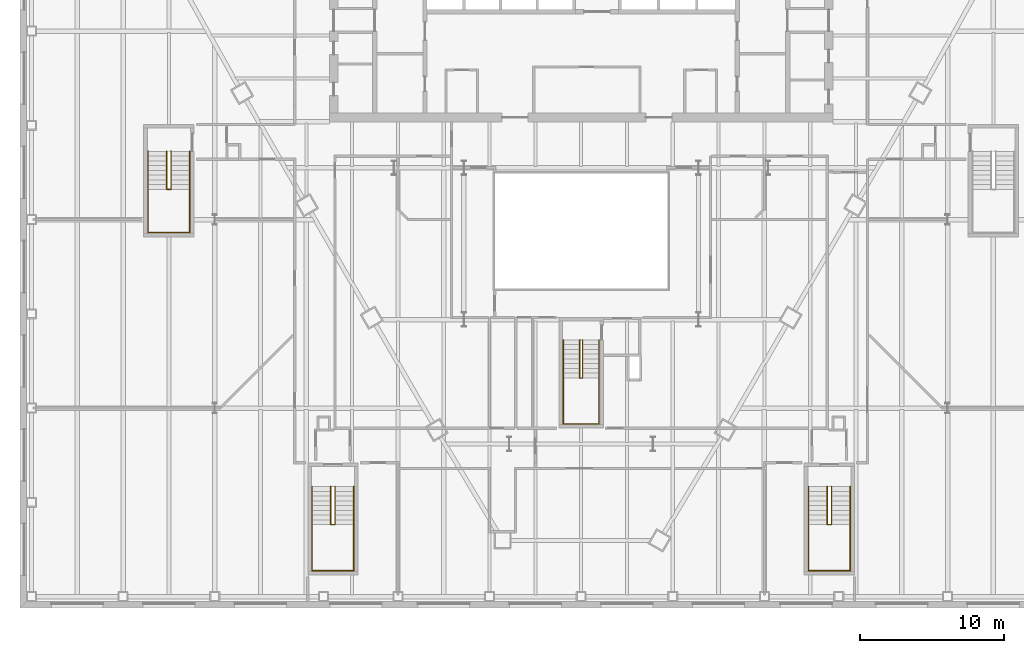
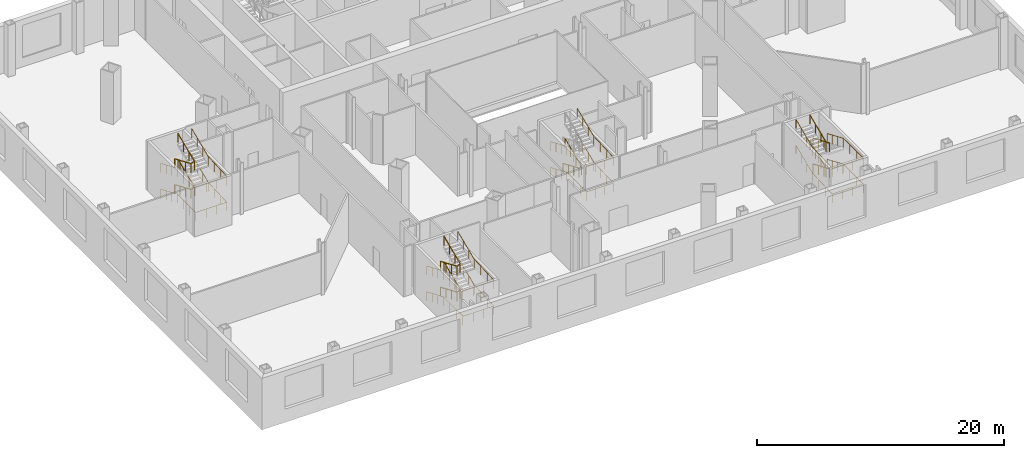
# One storey, part 20 of 21: 15 railings.
"""IFC4 building model written with IfcOpenShell, lengths in metres."""

from ifc_helpers import new_model, si_unit, direction, frame, origin, origin_2d, place, context, subcontext, project, spatial, circle, extrude, material, type_object, element, save


model = new_model("IFC4")

# Units and contexts
model_context = context("Model", 3, precision=1e-05, world=origin(), true_north=direction((0.0, 1.0)))
body_context = subcontext(model_context, "Body", "Model", "MODEL_VIEW")
ifc_project = project(units=[si_unit("LENGTHUNIT", "METRE"), si_unit("AREAUNIT", "SQUARE_METRE"), si_unit("VOLUMEUNIT", "CUBIC_METRE"), si_unit("PLANEANGLEUNIT", "RADIAN"), si_unit("MASSUNIT", "GRAM", prefix="KILO")], contexts=[model_context])

# Site, building, storey
site_placement = place(None, origin())
site = spatial("IfcSite", under=ifc_project, at=site_placement, CompositionType="ELEMENT")
building_placement = place(site_placement, origin())
building = spatial("IfcBuilding", under=site, at=building_placement, Name="Njiva Tower", CompositionType="ELEMENT")
storey_placement = place(building_placement, frame((0.0, 0.0, 8.4)))
storey = spatial("IfcBuildingStorey", under=building, at=storey_placement, Name="L01", CompositionType="ELEMENT", Elevation=8.4)

# Railings
ifc_material = material(Name="Stainless steel", Category="steel")
railing_type = type_object("IfcRailingType", Name="RL1 Stair handrail 900", PredefinedType="HANDRAIL", material=ifc_material)
railing_1_placement = place(storey_placement, frame((-1.25, -15.16, 0.1417)))
element("IfcRailing", 1, at=railing_1_placement, inside=storey, type_object=railing_type, Name="Stair C handrail", PredefinedType="HANDRAIL", context=body_context, shape_type="SweptSolid", body=[
    extrude(circle(Radius=0.024, at=origin_2d()), frame((0.0, 0.0, 0.876), z_axis=(0.0, -0.918909016762, 0.394469541173), x_axis=(1.0, 0.0, 0.0)), (0.0, 0.0, 1.0), 2.873),
    extrude(circle(Radius=0.024, at=origin_2d()), frame((0.0, -2.64, 2.0093), z_axis=(0.0, -1.0, 0.0), x_axis=(1.0, 0.0, 0.0)), (0.0, 0.0, 1.0), 3.2),
    extrude(circle(Radius=0.024, at=origin_2d()), frame((0.0, -5.84, 2.0093), z_axis=(1.0, 0.0, 0.0), x_axis=(0.0, 1.0, 0.0)), (0.0, 0.0, 1.0), 2.5),
    extrude(circle(Radius=0.024, at=origin_2d()), frame((2.5, -5.84, 2.0093), z_axis=(0.0, 0.999021024916, 0.04423789976), x_axis=(-1.0, 0.0, 0.0)), (0.0, 0.0, 1.0), 3.2031),
    extrude(circle(Radius=0.024, at=origin_2d()), frame((2.5, -2.64, 2.151), z_axis=(0.0, 0.918909016762, 0.394469541173), x_axis=(-1.0, 0.0, 0.0)), (0.0, 0.0, 1.0), 2.873),
    extrude(circle(Radius=0.021, at=origin_2d()), origin(), (0.0, 0.0, 1.0), 0.852),
    extrude(circle(Radius=0.021, at=origin_2d()), frame((0.0, -0.88, 0.3778)), (0.0, 0.0, 1.0), 0.852),
    extrude(circle(Radius=0.021, at=origin_2d()), frame((0.0, -1.76, 0.7555)), (0.0, 0.0, 1.0), 0.852),
    extrude(circle(Radius=0.021, at=origin_2d()), frame((0.0, -2.64, 1.1333)), (0.0, 0.0, 1.0), 0.852),
    extrude(circle(Radius=0.021, at=origin_2d()), frame((0.0, -3.7067, 1.1333)), (0.0, 0.0, 1.0), 0.852),
    extrude(circle(Radius=0.021, at=origin_2d()), frame((0.0, -4.7733, 1.1333)), (0.0, 0.0, 1.0), 0.852),
    extrude(circle(Radius=0.021, at=origin_2d()), frame((0.0, -5.84, 1.1333)), (0.0, 0.0, 1.0), 0.852),
    extrude(circle(Radius=0.021, at=origin_2d()), frame((0.8333, -5.84, 1.1333)), (0.0, 0.0, 1.0), 0.852),
    extrude(circle(Radius=0.021, at=origin_2d()), frame((1.6667, -5.84, 1.1333)), (0.0, 0.0, 1.0), 0.852),
    extrude(circle(Radius=0.021, at=origin_2d()), frame((2.5, -5.84, 1.1333)), (0.0, 0.0, 1.0), 0.852),
    extrude(circle(Radius=0.021, at=origin_2d()), frame((2.5, -4.7733, 1.1805)), (0.0, 0.0, 1.0), 0.852),
    extrude(circle(Radius=0.021, at=origin_2d()), frame((2.5, -3.7067, 1.2278)), (0.0, 0.0, 1.0), 0.852),
    extrude(circle(Radius=0.021, at=origin_2d()), frame((2.5, -2.64, 1.275)), (0.0, 0.0, 1.0), 0.852),
    extrude(circle(Radius=0.021, at=origin_2d()), frame((2.5, -1.76, 1.6528)), (0.0, 0.0, 1.0), 0.852),
    extrude(circle(Radius=0.021, at=origin_2d()), frame((2.5, -0.88, 2.0305)), (0.0, 0.0, 1.0), 0.852),
    extrude(circle(Radius=0.021, at=origin_2d()), frame((2.5, 0.0, 2.4083)), (0.0, 0.0, 1.0), 0.852),
])
railing_2_placement = place(storey_placement, frame((-0.1, -15.16, 0.1417)))
element("IfcRailing", 2, at=railing_2_placement, inside=storey, type_object=railing_type, Name="Stair C handrail", PredefinedType="HANDRAIL", context=body_context, shape_type="SweptSolid", body=[
    extrude(circle(Radius=0.024, at=origin_2d()), frame((0.0, 0.0, 0.876), z_axis=(0.0, -0.918909016762, 0.394469541173), x_axis=(1.0, 0.0, 0.0)), (0.0, 0.0, 1.0), 2.873),
    extrude(circle(Radius=0.024, at=origin_2d()), frame((0.0, -2.64, 2.0093), z_axis=(0.815960331218, 0.0, 0.578107894668), x_axis=(0.0, 1.0, 0.0)), (0.0, 0.0, 1.0), 0.2451),
    extrude(circle(Radius=0.024, at=origin_2d()), frame((0.2, -2.64, 2.151), z_axis=(0.0, 0.918909016762, 0.394469541173), x_axis=(-1.0, 0.0, 0.0)), (0.0, 0.0, 1.0), 2.873),
    extrude(circle(Radius=0.021, at=origin_2d()), origin(), (0.0, 0.0, 1.0), 0.852),
    extrude(circle(Radius=0.021, at=origin_2d()), frame((0.0, -0.88, 0.3778)), (0.0, 0.0, 1.0), 0.852),
    extrude(circle(Radius=0.021, at=origin_2d()), frame((0.0, -1.76, 0.7555)), (0.0, 0.0, 1.0), 0.852),
    extrude(circle(Radius=0.021, at=origin_2d()), frame((0.0, -2.64, 1.1333)), (0.0, 0.0, 1.0), 0.852),
    extrude(circle(Radius=0.021, at=origin_2d()), frame((0.2, -2.64, 1.275)), (0.0, 0.0, 1.0), 0.852),
    extrude(circle(Radius=0.021, at=origin_2d()), frame((0.2, -1.76, 1.6528)), (0.0, 0.0, 1.0), 0.852),
    extrude(circle(Radius=0.021, at=origin_2d()), frame((0.2, -0.88, 2.0305)), (0.0, 0.0, 1.0), 0.852),
    extrude(circle(Radius=0.021, at=origin_2d()), frame((0.2, 0.0, 2.4083)), (0.0, 0.0, 1.0), 0.852),
])
railing_3_placement = place(storey_placement, frame((-1.25, -15.16, 2.6917)))
element("IfcRailing", 3, at=railing_3_placement, inside=storey, type_object=railing_type, Name="Stair C handrail", PredefinedType="HANDRAIL", context=body_context, shape_type="SweptSolid", body=[
    extrude(circle(Radius=0.024, at=origin_2d()), frame((0.0, 0.0, 0.876), z_axis=(0.0, -0.918909016762, 0.394469541173), x_axis=(1.0, 0.0, 0.0)), (0.0, 0.0, 1.0), 2.873),
    extrude(circle(Radius=0.024, at=origin_2d()), frame((0.0, -2.64, 2.0093), z_axis=(0.0, -1.0, 0.0), x_axis=(1.0, 0.0, 0.0)), (0.0, 0.0, 1.0), 3.2),
    extrude(circle(Radius=0.024, at=origin_2d()), frame((0.0, -5.84, 2.0093), z_axis=(1.0, 0.0, 0.0), x_axis=(0.0, 1.0, 0.0)), (0.0, 0.0, 1.0), 2.5),
    extrude(circle(Radius=0.024, at=origin_2d()), frame((2.5, -5.84, 2.0093), z_axis=(0.0, 0.999021024916, 0.04423789976), x_axis=(-1.0, 0.0, 0.0)), (0.0, 0.0, 1.0), 3.2031),
    extrude(circle(Radius=0.024, at=origin_2d()), frame((2.5, -2.64, 2.151), z_axis=(0.0, 0.918909016762, 0.394469541173), x_axis=(-1.0, 0.0, 0.0)), (0.0, 0.0, 1.0), 2.873),
    extrude(circle(Radius=0.021, at=origin_2d()), origin(), (0.0, 0.0, 1.0), 0.852),
    extrude(circle(Radius=0.021, at=origin_2d()), frame((0.0, -0.88, 0.3778)), (0.0, 0.0, 1.0), 0.852),
    extrude(circle(Radius=0.021, at=origin_2d()), frame((0.0, -1.76, 0.7555)), (0.0, 0.0, 1.0), 0.852),
    extrude(circle(Radius=0.021, at=origin_2d()), frame((0.0, -2.64, 1.1333)), (0.0, 0.0, 1.0), 0.852),
    extrude(circle(Radius=0.021, at=origin_2d()), frame((0.0, -3.7067, 1.1333)), (0.0, 0.0, 1.0), 0.852),
    extrude(circle(Radius=0.021, at=origin_2d()), frame((0.0, -4.7733, 1.1333)), (0.0, 0.0, 1.0), 0.852),
    extrude(circle(Radius=0.021, at=origin_2d()), frame((0.0, -5.84, 1.1333)), (0.0, 0.0, 1.0), 0.852),
    extrude(circle(Radius=0.021, at=origin_2d()), frame((0.8333, -5.84, 1.1333)), (0.0, 0.0, 1.0), 0.852),
    extrude(circle(Radius=0.021, at=origin_2d()), frame((1.6667, -5.84, 1.1333)), (0.0, 0.0, 1.0), 0.852),
    extrude(circle(Radius=0.021, at=origin_2d()), frame((2.5, -5.84, 1.1333)), (0.0, 0.0, 1.0), 0.852),
    extrude(circle(Radius=0.021, at=origin_2d()), frame((2.5, -4.7733, 1.1805)), (0.0, 0.0, 1.0), 0.852),
    extrude(circle(Radius=0.021, at=origin_2d()), frame((2.5, -3.7067, 1.2278)), (0.0, 0.0, 1.0), 0.852),
    extrude(circle(Radius=0.021, at=origin_2d()), frame((2.5, -2.64, 1.275)), (0.0, 0.0, 1.0), 0.852),
    extrude(circle(Radius=0.021, at=origin_2d()), frame((2.5, -1.76, 1.6528)), (0.0, 0.0, 1.0), 0.852),
    extrude(circle(Radius=0.021, at=origin_2d()), frame((2.5, -0.88, 2.0305)), (0.0, 0.0, 1.0), 0.852),
    extrude(circle(Radius=0.021, at=origin_2d()), frame((2.5, 0.0, 2.4083)), (0.0, 0.0, 1.0), 0.852),
])
railing_4_placement = place(storey_placement, frame((-18.7, -25.35, 0.1417)))
element("IfcRailing", 4, at=railing_4_placement, inside=storey, type_object=railing_type, Name="Stair D handrail", PredefinedType="HANDRAIL", context=body_context, shape_type="SweptSolid", body=[
    extrude(circle(Radius=0.024, at=origin_2d()), frame((0.0, 0.0, 0.876), z_axis=(0.0, -0.918909016762, 0.394469541173), x_axis=(1.0, 0.0, 0.0)), (0.0, 0.0, 1.0), 2.873),
    extrude(circle(Radius=0.024, at=origin_2d()), frame((0.0, -2.64, 2.0093), z_axis=(0.0, -1.0, 0.0), x_axis=(1.0, 0.0, 0.0)), (0.0, 0.0, 1.0), 3.21),
    extrude(circle(Radius=0.024, at=origin_2d()), frame((0.0, -5.85, 2.0093), z_axis=(1.0, 0.0, 0.0), x_axis=(0.0, 1.0, 0.0)), (0.0, 0.0, 1.0), 2.9),
    extrude(circle(Radius=0.024, at=origin_2d()), frame((2.9, -5.85, 2.0093), z_axis=(0.0, 0.999027106064, 0.04410035543), x_axis=(-1.0, 0.0, 0.0)), (0.0, 0.0, 1.0), 3.2131),
    extrude(circle(Radius=0.024, at=origin_2d()), frame((2.9, -2.64, 2.151), z_axis=(0.0, 0.918909016762, 0.394469541173), x_axis=(-1.0, 0.0, 0.0)), (0.0, 0.0, 1.0), 2.873),
    extrude(circle(Radius=0.021, at=origin_2d()), origin(), (0.0, 0.0, 1.0), 0.852),
    extrude(circle(Radius=0.021, at=origin_2d()), frame((0.0, -0.88, 0.3778)), (0.0, 0.0, 1.0), 0.852),
    extrude(circle(Radius=0.021, at=origin_2d()), frame((0.0, -1.76, 0.7555)), (0.0, 0.0, 1.0), 0.852),
    extrude(circle(Radius=0.021, at=origin_2d()), frame((0.0, -2.64, 1.1333)), (0.0, 0.0, 1.0), 0.852),
    extrude(circle(Radius=0.021, at=origin_2d()), frame((0.0, -3.71, 1.1333)), (0.0, 0.0, 1.0), 0.852),
    extrude(circle(Radius=0.021, at=origin_2d()), frame((0.0, -4.78, 1.1333)), (0.0, 0.0, 1.0), 0.852),
    extrude(circle(Radius=0.021, at=origin_2d()), frame((0.0, -5.85, 1.1333)), (0.0, 0.0, 1.0), 0.852),
    extrude(circle(Radius=0.021, at=origin_2d()), frame((0.9667, -5.85, 1.1333)), (0.0, 0.0, 1.0), 0.852),
    extrude(circle(Radius=0.021, at=origin_2d()), frame((1.9333, -5.85, 1.1333)), (0.0, 0.0, 1.0), 0.852),
    extrude(circle(Radius=0.021, at=origin_2d()), frame((2.9, -5.85, 1.1333)), (0.0, 0.0, 1.0), 0.852),
    extrude(circle(Radius=0.021, at=origin_2d()), frame((2.9, -4.78, 1.1805)), (0.0, 0.0, 1.0), 0.852),
    extrude(circle(Radius=0.021, at=origin_2d()), frame((2.9, -3.71, 1.2278)), (0.0, 0.0, 1.0), 0.852),
    extrude(circle(Radius=0.021, at=origin_2d()), frame((2.9, -2.64, 1.275)), (0.0, 0.0, 1.0), 0.852),
    extrude(circle(Radius=0.021, at=origin_2d()), frame((2.9, -1.76, 1.6528)), (0.0, 0.0, 1.0), 0.852),
    extrude(circle(Radius=0.021, at=origin_2d()), frame((2.9, -0.88, 2.0305)), (0.0, 0.0, 1.0), 0.852),
    extrude(circle(Radius=0.021, at=origin_2d()), frame((2.9, 0.0, 2.4083)), (0.0, 0.0, 1.0), 0.852),
])
railing_5_placement = place(storey_placement, frame((-17.4, -25.35, 0.1417)))
element("IfcRailing", 5, at=railing_5_placement, inside=storey, type_object=railing_type, Name="Stair D handrail", PredefinedType="HANDRAIL", context=body_context, shape_type="SweptSolid", body=[
    extrude(circle(Radius=0.024, at=origin_2d()), frame((0.0, 0.0, 0.876), z_axis=(0.0, -0.918909016762, 0.394469541173), x_axis=(1.0, 0.0, 0.0)), (0.0, 0.0, 1.0), 2.873),
    extrude(circle(Radius=0.024, at=origin_2d()), frame((0.0, -2.64, 2.0093), z_axis=(0.904209850415, 0.0, 0.427088452679), x_axis=(0.0, 1.0, 0.0)), (0.0, 0.0, 1.0), 0.3318),
    extrude(circle(Radius=0.024, at=origin_2d()), frame((0.3, -2.64, 2.151), z_axis=(0.0, 0.918909016762, 0.394469541173), x_axis=(-1.0, 0.0, 0.0)), (0.0, 0.0, 1.0), 2.873),
    extrude(circle(Radius=0.021, at=origin_2d()), origin(), (0.0, 0.0, 1.0), 0.852),
    extrude(circle(Radius=0.021, at=origin_2d()), frame((0.0, -0.88, 0.3778)), (0.0, 0.0, 1.0), 0.852),
    extrude(circle(Radius=0.021, at=origin_2d()), frame((0.0, -1.76, 0.7555)), (0.0, 0.0, 1.0), 0.852),
    extrude(circle(Radius=0.021, at=origin_2d()), frame((0.0, -2.64, 1.1333)), (0.0, 0.0, 1.0), 0.852),
    extrude(circle(Radius=0.021, at=origin_2d()), frame((0.3, -2.64, 1.275)), (0.0, 0.0, 1.0), 0.852),
    extrude(circle(Radius=0.021, at=origin_2d()), frame((0.3, -1.76, 1.6528)), (0.0, 0.0, 1.0), 0.852),
    extrude(circle(Radius=0.021, at=origin_2d()), frame((0.3, -0.88, 2.0305)), (0.0, 0.0, 1.0), 0.852),
    extrude(circle(Radius=0.021, at=origin_2d()), frame((0.3, 0.0, 2.4083)), (0.0, 0.0, 1.0), 0.852),
])
railing_6_placement = place(storey_placement, frame((-18.7, -25.35, 2.6917)))
element("IfcRailing", 6, at=railing_6_placement, inside=storey, type_object=railing_type, Name="Stair D handrail", PredefinedType="HANDRAIL", context=body_context, shape_type="SweptSolid", body=[
    extrude(circle(Radius=0.024, at=origin_2d()), frame((0.0, 0.0, 0.876), z_axis=(0.0, -0.918909016762, 0.394469541173), x_axis=(1.0, 0.0, 0.0)), (0.0, 0.0, 1.0), 2.873),
    extrude(circle(Radius=0.024, at=origin_2d()), frame((0.0, -2.64, 2.0093), z_axis=(0.0, -1.0, 0.0), x_axis=(1.0, 0.0, 0.0)), (0.0, 0.0, 1.0), 3.21),
    extrude(circle(Radius=0.024, at=origin_2d()), frame((0.0, -5.85, 2.0093), z_axis=(1.0, 0.0, 0.0), x_axis=(0.0, 1.0, 0.0)), (0.0, 0.0, 1.0), 2.9),
    extrude(circle(Radius=0.024, at=origin_2d()), frame((2.9, -5.85, 2.0093), z_axis=(0.0, 0.999027106064, 0.04410035543), x_axis=(-1.0, 0.0, 0.0)), (0.0, 0.0, 1.0), 3.2131),
    extrude(circle(Radius=0.024, at=origin_2d()), frame((2.9, -2.64, 2.151), z_axis=(0.0, 0.918909016762, 0.394469541173), x_axis=(-1.0, 0.0, 0.0)), (0.0, 0.0, 1.0), 2.873),
    extrude(circle(Radius=0.021, at=origin_2d()), origin(), (0.0, 0.0, 1.0), 0.852),
    extrude(circle(Radius=0.021, at=origin_2d()), frame((0.0, -0.88, 0.3778)), (0.0, 0.0, 1.0), 0.852),
    extrude(circle(Radius=0.021, at=origin_2d()), frame((0.0, -1.76, 0.7555)), (0.0, 0.0, 1.0), 0.852),
    extrude(circle(Radius=0.021, at=origin_2d()), frame((0.0, -2.64, 1.1333)), (0.0, 0.0, 1.0), 0.852),
    extrude(circle(Radius=0.021, at=origin_2d()), frame((0.0, -3.71, 1.1333)), (0.0, 0.0, 1.0), 0.852),
    extrude(circle(Radius=0.021, at=origin_2d()), frame((0.0, -4.78, 1.1333)), (0.0, 0.0, 1.0), 0.852),
    extrude(circle(Radius=0.021, at=origin_2d()), frame((0.0, -5.85, 1.1333)), (0.0, 0.0, 1.0), 0.852),
    extrude(circle(Radius=0.021, at=origin_2d()), frame((0.9667, -5.85, 1.1333)), (0.0, 0.0, 1.0), 0.852),
    extrude(circle(Radius=0.021, at=origin_2d()), frame((1.9333, -5.85, 1.1333)), (0.0, 0.0, 1.0), 0.852),
    extrude(circle(Radius=0.021, at=origin_2d()), frame((2.9, -5.85, 1.1333)), (0.0, 0.0, 1.0), 0.852),
    extrude(circle(Radius=0.021, at=origin_2d()), frame((2.9, -4.78, 1.1805)), (0.0, 0.0, 1.0), 0.852),
    extrude(circle(Radius=0.021, at=origin_2d()), frame((2.9, -3.71, 1.2278)), (0.0, 0.0, 1.0), 0.852),
    extrude(circle(Radius=0.021, at=origin_2d()), frame((2.9, -2.64, 1.275)), (0.0, 0.0, 1.0), 0.852),
    extrude(circle(Radius=0.021, at=origin_2d()), frame((2.9, -1.76, 1.6528)), (0.0, 0.0, 1.0), 0.852),
    extrude(circle(Radius=0.021, at=origin_2d()), frame((2.9, -0.88, 2.0305)), (0.0, 0.0, 1.0), 0.852),
    extrude(circle(Radius=0.021, at=origin_2d()), frame((2.9, 0.0, 2.4083)), (0.0, 0.0, 1.0), 0.852),
])
railing_7_placement = place(storey_placement, frame((-17.4, -25.35, 2.6917)))
element("IfcRailing", 7, at=railing_7_placement, inside=storey, type_object=railing_type, Name="Stair D handrail", PredefinedType="HANDRAIL", context=body_context, shape_type="SweptSolid", body=[
    extrude(circle(Radius=0.024, at=origin_2d()), frame((0.0, 0.0, 0.876), z_axis=(0.0, -0.918909016762, 0.394469541173), x_axis=(1.0, 0.0, 0.0)), (0.0, 0.0, 1.0), 2.873),
    extrude(circle(Radius=0.024, at=origin_2d()), frame((0.0, -2.64, 2.0093), z_axis=(0.904209850415, 0.0, 0.427088452679), x_axis=(0.0, 1.0, 0.0)), (0.0, 0.0, 1.0), 0.3318),
    extrude(circle(Radius=0.024, at=origin_2d()), frame((0.3, -2.64, 2.151), z_axis=(0.0, 0.918909016762, 0.394469541173), x_axis=(-1.0, 0.0, 0.0)), (0.0, 0.0, 1.0), 2.873),
    extrude(circle(Radius=0.021, at=origin_2d()), origin(), (0.0, 0.0, 1.0), 0.852),
    extrude(circle(Radius=0.021, at=origin_2d()), frame((0.0, -0.88, 0.3778)), (0.0, 0.0, 1.0), 0.852),
    extrude(circle(Radius=0.021, at=origin_2d()), frame((0.0, -1.76, 0.7555)), (0.0, 0.0, 1.0), 0.852),
    extrude(circle(Radius=0.021, at=origin_2d()), frame((0.0, -2.64, 1.1333)), (0.0, 0.0, 1.0), 0.852),
    extrude(circle(Radius=0.021, at=origin_2d()), frame((0.3, -2.64, 1.275)), (0.0, 0.0, 1.0), 0.852),
    extrude(circle(Radius=0.021, at=origin_2d()), frame((0.3, -1.76, 1.6528)), (0.0, 0.0, 1.0), 0.852),
    extrude(circle(Radius=0.021, at=origin_2d()), frame((0.3, -0.88, 2.0305)), (0.0, 0.0, 1.0), 0.852),
    extrude(circle(Radius=0.021, at=origin_2d()), frame((0.3, 0.0, 2.4083)), (0.0, 0.0, 1.0), 0.852),
])
railing_8_placement = place(storey_placement, frame((18.7, -25.35, 0.1417)))
element("IfcRailing", 8, at=railing_8_placement, inside=storey, type_object=railing_type, Name="Stair E handrail", PredefinedType="HANDRAIL", context=body_context, shape_type="SweptSolid", body=[
    extrude(circle(Radius=0.024, at=origin_2d()), frame((0.0, 0.0, 0.876), z_axis=(0.0, -0.918909016762, 0.394469541173), x_axis=(1.0, 0.0, 0.0)), (0.0, 0.0, 1.0), 2.873),
    extrude(circle(Radius=0.024, at=origin_2d()), frame((0.0, -2.64, 2.0093), z_axis=(0.0, -1.0, 0.0), x_axis=(1.0, 0.0, 0.0)), (0.0, 0.0, 1.0), 3.21),
    extrude(circle(Radius=0.024, at=origin_2d()), frame((0.0, -5.85, 2.0093), z_axis=(-1.0, 0.0, 0.0), x_axis=(0.0, -1.0, 0.0)), (0.0, 0.0, 1.0), 2.9),
    extrude(circle(Radius=0.024, at=origin_2d()), frame((-2.9, -5.85, 2.0093), z_axis=(0.0, 0.999027106064, 0.04410035543), x_axis=(-1.0, 0.0, 0.0)), (0.0, 0.0, 1.0), 3.2131),
    extrude(circle(Radius=0.024, at=origin_2d()), frame((-2.9, -2.64, 2.151), z_axis=(0.0, 0.918909016762, 0.394469541173), x_axis=(-1.0, 0.0, 0.0)), (0.0, 0.0, 1.0), 2.873),
    extrude(circle(Radius=0.021, at=origin_2d()), origin(), (0.0, 0.0, 1.0), 0.852),
    extrude(circle(Radius=0.021, at=origin_2d()), frame((0.0, -0.88, 0.3778)), (0.0, 0.0, 1.0), 0.852),
    extrude(circle(Radius=0.021, at=origin_2d()), frame((0.0, -1.76, 0.7555)), (0.0, 0.0, 1.0), 0.852),
    extrude(circle(Radius=0.021, at=origin_2d()), frame((0.0, -2.64, 1.1333)), (0.0, 0.0, 1.0), 0.852),
    extrude(circle(Radius=0.021, at=origin_2d()), frame((0.0, -3.71, 1.1333)), (0.0, 0.0, 1.0), 0.852),
    extrude(circle(Radius=0.021, at=origin_2d()), frame((0.0, -4.78, 1.1333)), (0.0, 0.0, 1.0), 0.852),
    extrude(circle(Radius=0.021, at=origin_2d()), frame((0.0, -5.85, 1.1333)), (0.0, 0.0, 1.0), 0.852),
    extrude(circle(Radius=0.021, at=origin_2d()), frame((-0.9667, -5.85, 1.1333)), (0.0, 0.0, 1.0), 0.852),
    extrude(circle(Radius=0.021, at=origin_2d()), frame((-1.9333, -5.85, 1.1333)), (0.0, 0.0, 1.0), 0.852),
    extrude(circle(Radius=0.021, at=origin_2d()), frame((-2.9, -5.85, 1.1333)), (0.0, 0.0, 1.0), 0.852),
    extrude(circle(Radius=0.021, at=origin_2d()), frame((-2.9, -4.78, 1.1805)), (0.0, 0.0, 1.0), 0.852),
    extrude(circle(Radius=0.021, at=origin_2d()), frame((-2.9, -3.71, 1.2278)), (0.0, 0.0, 1.0), 0.852),
    extrude(circle(Radius=0.021, at=origin_2d()), frame((-2.9, -2.64, 1.275)), (0.0, 0.0, 1.0), 0.852),
    extrude(circle(Radius=0.021, at=origin_2d()), frame((-2.9, -1.76, 1.6528)), (0.0, 0.0, 1.0), 0.852),
    extrude(circle(Radius=0.021, at=origin_2d()), frame((-2.9, -0.88, 2.0305)), (0.0, 0.0, 1.0), 0.852),
    extrude(circle(Radius=0.021, at=origin_2d()), frame((-2.9, 0.0, 2.4083)), (0.0, 0.0, 1.0), 0.852),
])
railing_9_placement = place(storey_placement, frame((17.4, -25.35, 0.1417)))
element("IfcRailing", 9, at=railing_9_placement, inside=storey, type_object=railing_type, Name="Stair E handrail", PredefinedType="HANDRAIL", context=body_context, shape_type="SweptSolid", body=[
    extrude(circle(Radius=0.024, at=origin_2d()), frame((0.0, 0.0, 0.876), z_axis=(0.0, -0.918909016762, 0.394469541173), x_axis=(1.0, 0.0, 0.0)), (0.0, 0.0, 1.0), 2.873),
    extrude(circle(Radius=0.024, at=origin_2d()), frame((0.0, -2.64, 2.0093), z_axis=(-0.904209850415, 0.0, 0.427088452679), x_axis=(0.0, -1.0, 0.0)), (0.0, 0.0, 1.0), 0.3318),
    extrude(circle(Radius=0.024, at=origin_2d()), frame((-0.3, -2.64, 2.151), z_axis=(0.0, 0.918909016762, 0.394469541173), x_axis=(-1.0, 0.0, 0.0)), (0.0, 0.0, 1.0), 2.873),
    extrude(circle(Radius=0.021, at=origin_2d()), origin(), (0.0, 0.0, 1.0), 0.852),
    extrude(circle(Radius=0.021, at=origin_2d()), frame((0.0, -0.88, 0.3778)), (0.0, 0.0, 1.0), 0.852),
    extrude(circle(Radius=0.021, at=origin_2d()), frame((0.0, -1.76, 0.7555)), (0.0, 0.0, 1.0), 0.852),
    extrude(circle(Radius=0.021, at=origin_2d()), frame((0.0, -2.64, 1.1333)), (0.0, 0.0, 1.0), 0.852),
    extrude(circle(Radius=0.021, at=origin_2d()), frame((-0.3, -2.64, 1.275)), (0.0, 0.0, 1.0), 0.852),
    extrude(circle(Radius=0.021, at=origin_2d()), frame((-0.3, -1.76, 1.6528)), (0.0, 0.0, 1.0), 0.852),
    extrude(circle(Radius=0.021, at=origin_2d()), frame((-0.3, -0.88, 2.0305)), (0.0, 0.0, 1.0), 0.852),
    extrude(circle(Radius=0.021, at=origin_2d()), frame((-0.3, 0.0, 2.4083)), (0.0, 0.0, 1.0), 0.852),
])
railing_10_placement = place(storey_placement, frame((18.7, -25.35, 2.6917)))
element("IfcRailing", 10, at=railing_10_placement, inside=storey, type_object=railing_type, Name="Stair E handrail", PredefinedType="HANDRAIL", context=body_context, shape_type="SweptSolid", body=[
    extrude(circle(Radius=0.024, at=origin_2d()), frame((0.0, 0.0, 0.876), z_axis=(0.0, -0.918909016762, 0.394469541173), x_axis=(1.0, 0.0, 0.0)), (0.0, 0.0, 1.0), 2.873),
    extrude(circle(Radius=0.024, at=origin_2d()), frame((0.0, -2.64, 2.0093), z_axis=(0.0, -1.0, 0.0), x_axis=(1.0, 0.0, 0.0)), (0.0, 0.0, 1.0), 3.21),
    extrude(circle(Radius=0.024, at=origin_2d()), frame((0.0, -5.85, 2.0093), z_axis=(-1.0, 0.0, 0.0), x_axis=(0.0, -1.0, 0.0)), (0.0, 0.0, 1.0), 2.9),
    extrude(circle(Radius=0.024, at=origin_2d()), frame((-2.9, -5.85, 2.0093), z_axis=(0.0, 0.999027106064, 0.04410035543), x_axis=(-1.0, 0.0, 0.0)), (0.0, 0.0, 1.0), 3.2131),
    extrude(circle(Radius=0.024, at=origin_2d()), frame((-2.9, -2.64, 2.151), z_axis=(0.0, 0.918909016762, 0.394469541173), x_axis=(-1.0, 0.0, 0.0)), (0.0, 0.0, 1.0), 2.873),
    extrude(circle(Radius=0.021, at=origin_2d()), origin(), (0.0, 0.0, 1.0), 0.852),
    extrude(circle(Radius=0.021, at=origin_2d()), frame((0.0, -0.88, 0.3778)), (0.0, 0.0, 1.0), 0.852),
    extrude(circle(Radius=0.021, at=origin_2d()), frame((0.0, -1.76, 0.7555)), (0.0, 0.0, 1.0), 0.852),
    extrude(circle(Radius=0.021, at=origin_2d()), frame((0.0, -2.64, 1.1333)), (0.0, 0.0, 1.0), 0.852),
    extrude(circle(Radius=0.021, at=origin_2d()), frame((0.0, -3.71, 1.1333)), (0.0, 0.0, 1.0), 0.852),
    extrude(circle(Radius=0.021, at=origin_2d()), frame((0.0, -4.78, 1.1333)), (0.0, 0.0, 1.0), 0.852),
    extrude(circle(Radius=0.021, at=origin_2d()), frame((0.0, -5.85, 1.1333)), (0.0, 0.0, 1.0), 0.852),
    extrude(circle(Radius=0.021, at=origin_2d()), frame((-0.9667, -5.85, 1.1333)), (0.0, 0.0, 1.0), 0.852),
    extrude(circle(Radius=0.021, at=origin_2d()), frame((-1.9333, -5.85, 1.1333)), (0.0, 0.0, 1.0), 0.852),
    extrude(circle(Radius=0.021, at=origin_2d()), frame((-2.9, -5.85, 1.1333)), (0.0, 0.0, 1.0), 0.852),
    extrude(circle(Radius=0.021, at=origin_2d()), frame((-2.9, -4.78, 1.1805)), (0.0, 0.0, 1.0), 0.852),
    extrude(circle(Radius=0.021, at=origin_2d()), frame((-2.9, -3.71, 1.2278)), (0.0, 0.0, 1.0), 0.852),
    extrude(circle(Radius=0.021, at=origin_2d()), frame((-2.9, -2.64, 1.275)), (0.0, 0.0, 1.0), 0.852),
    extrude(circle(Radius=0.021, at=origin_2d()), frame((-2.9, -1.76, 1.6528)), (0.0, 0.0, 1.0), 0.852),
    extrude(circle(Radius=0.021, at=origin_2d()), frame((-2.9, -0.88, 2.0305)), (0.0, 0.0, 1.0), 0.852),
    extrude(circle(Radius=0.021, at=origin_2d()), frame((-2.9, 0.0, 2.4083)), (0.0, 0.0, 1.0), 0.852),
])
railing_11_placement = place(storey_placement, frame((17.4, -25.35, 2.6917)))
element("IfcRailing", 11, at=railing_11_placement, inside=storey, type_object=railing_type, Name="Stair E handrail", PredefinedType="HANDRAIL", context=body_context, shape_type="SweptSolid", body=[
    extrude(circle(Radius=0.024, at=origin_2d()), frame((0.0, 0.0, 0.876), z_axis=(0.0, -0.918909016762, 0.394469541173), x_axis=(1.0, 0.0, 0.0)), (0.0, 0.0, 1.0), 2.873),
    extrude(circle(Radius=0.024, at=origin_2d()), frame((0.0, -2.64, 2.0093), z_axis=(-0.904209850415, 0.0, 0.427088452679), x_axis=(0.0, -1.0, 0.0)), (0.0, 0.0, 1.0), 0.3318),
    extrude(circle(Radius=0.024, at=origin_2d()), frame((-0.3, -2.64, 2.151), z_axis=(0.0, 0.918909016762, 0.394469541173), x_axis=(-1.0, 0.0, 0.0)), (0.0, 0.0, 1.0), 2.873),
    extrude(circle(Radius=0.021, at=origin_2d()), origin(), (0.0, 0.0, 1.0), 0.852),
    extrude(circle(Radius=0.021, at=origin_2d()), frame((0.0, -0.88, 0.3778)), (0.0, 0.0, 1.0), 0.852),
    extrude(circle(Radius=0.021, at=origin_2d()), frame((0.0, -1.76, 0.7555)), (0.0, 0.0, 1.0), 0.852),
    extrude(circle(Radius=0.021, at=origin_2d()), frame((0.0, -2.64, 1.1333)), (0.0, 0.0, 1.0), 0.852),
    extrude(circle(Radius=0.021, at=origin_2d()), frame((-0.3, -2.64, 1.275)), (0.0, 0.0, 1.0), 0.852),
    extrude(circle(Radius=0.021, at=origin_2d()), frame((-0.3, -1.76, 1.6528)), (0.0, 0.0, 1.0), 0.852),
    extrude(circle(Radius=0.021, at=origin_2d()), frame((-0.3, -0.88, 2.0305)), (0.0, 0.0, 1.0), 0.852),
    extrude(circle(Radius=0.021, at=origin_2d()), frame((-0.3, 0.0, 2.4083)), (0.0, 0.0, 1.0), 0.852),
])
railing_12_placement = place(storey_placement, frame((-30.1, -2.05, 0.1417)))
element("IfcRailing", 12, at=railing_12_placement, inside=storey, type_object=railing_type, Name="Stair F handrail", PredefinedType="HANDRAIL", context=body_context, shape_type="SweptSolid", body=[
    extrude(circle(Radius=0.024, at=origin_2d()), frame((0.0, 0.0, 0.876), z_axis=(0.0, -0.918909016762, 0.394469541173), x_axis=(1.0, 0.0, 0.0)), (0.0, 0.0, 1.0), 2.873),
    extrude(circle(Radius=0.024, at=origin_2d()), frame((0.0, -2.64, 2.0093), z_axis=(0.0, -1.0, 0.0), x_axis=(1.0, 0.0, 0.0)), (0.0, 0.0, 1.0), 3.01),
    extrude(circle(Radius=0.024, at=origin_2d()), frame((0.0, -5.65, 2.0093), z_axis=(1.0, 0.0, 0.0), x_axis=(0.0, 1.0, 0.0)), (0.0, 0.0, 1.0), 2.9),
    extrude(circle(Radius=0.024, at=origin_2d()), frame((2.9, -5.65, 2.0093), z_axis=(0.0, 0.998893744133, 0.047024333403), x_axis=(-1.0, 0.0, 0.0)), (0.0, 0.0, 1.0), 3.0133),
    extrude(circle(Radius=0.024, at=origin_2d()), frame((2.9, -2.64, 2.151), z_axis=(0.0, 0.918909016762, 0.394469541173), x_axis=(-1.0, 0.0, 0.0)), (0.0, 0.0, 1.0), 2.873),
    extrude(circle(Radius=0.021, at=origin_2d()), origin(), (0.0, 0.0, 1.0), 0.852),
    extrude(circle(Radius=0.021, at=origin_2d()), frame((0.0, -0.88, 0.3778)), (0.0, 0.0, 1.0), 0.852),
    extrude(circle(Radius=0.021, at=origin_2d()), frame((0.0, -1.76, 0.7555)), (0.0, 0.0, 1.0), 0.852),
    extrude(circle(Radius=0.021, at=origin_2d()), frame((0.0, -2.64, 1.1333)), (0.0, 0.0, 1.0), 0.852),
    extrude(circle(Radius=0.021, at=origin_2d()), frame((0.0, -3.6433, 1.1333)), (0.0, 0.0, 1.0), 0.852),
    extrude(circle(Radius=0.021, at=origin_2d()), frame((0.0, -4.6467, 1.1333)), (0.0, 0.0, 1.0), 0.852),
    extrude(circle(Radius=0.021, at=origin_2d()), frame((0.0, -5.65, 1.1333)), (0.0, 0.0, 1.0), 0.852),
    extrude(circle(Radius=0.021, at=origin_2d()), frame((0.9667, -5.65, 1.1333)), (0.0, 0.0, 1.0), 0.852),
    extrude(circle(Radius=0.021, at=origin_2d()), frame((1.9333, -5.65, 1.1333)), (0.0, 0.0, 1.0), 0.852),
    extrude(circle(Radius=0.021, at=origin_2d()), frame((2.9, -5.65, 1.1333)), (0.0, 0.0, 1.0), 0.852),
    extrude(circle(Radius=0.021, at=origin_2d()), frame((2.9, -4.6467, 1.1805)), (0.0, 0.0, 1.0), 0.852),
    extrude(circle(Radius=0.021, at=origin_2d()), frame((2.9, -3.6433, 1.2278)), (0.0, 0.0, 1.0), 0.852),
    extrude(circle(Radius=0.021, at=origin_2d()), frame((2.9, -2.64, 1.275)), (0.0, 0.0, 1.0), 0.852),
    extrude(circle(Radius=0.021, at=origin_2d()), frame((2.9, -1.76, 1.6528)), (0.0, 0.0, 1.0), 0.852),
    extrude(circle(Radius=0.021, at=origin_2d()), frame((2.9, -0.88, 2.0305)), (0.0, 0.0, 1.0), 0.852),
    extrude(circle(Radius=0.021, at=origin_2d()), frame((2.9, 0.0, 2.4083)), (0.0, 0.0, 1.0), 0.852),
])
railing_13_placement = place(storey_placement, frame((-28.8, -2.05, 0.1417)))
element("IfcRailing", 13, at=railing_13_placement, inside=storey, type_object=railing_type, Name="Stair F handrail", PredefinedType="HANDRAIL", context=body_context, shape_type="SweptSolid", body=[
    extrude(circle(Radius=0.024, at=origin_2d()), frame((0.0, 0.0, 0.876), z_axis=(0.0, -0.918909016762, 0.394469541173), x_axis=(1.0, 0.0, 0.0)), (0.0, 0.0, 1.0), 2.873),
    extrude(circle(Radius=0.024, at=origin_2d()), frame((0.0, -2.64, 2.0093), z_axis=(0.904209850415, 0.0, 0.427088452679), x_axis=(0.0, 1.0, 0.0)), (0.0, 0.0, 1.0), 0.3318),
    extrude(circle(Radius=0.024, at=origin_2d()), frame((0.3, -2.64, 2.151), z_axis=(0.0, 0.918909016762, 0.394469541173), x_axis=(-1.0, 0.0, 0.0)), (0.0, 0.0, 1.0), 2.873),
    extrude(circle(Radius=0.021, at=origin_2d()), origin(), (0.0, 0.0, 1.0), 0.852),
    extrude(circle(Radius=0.021, at=origin_2d()), frame((0.0, -0.88, 0.3778)), (0.0, 0.0, 1.0), 0.852),
    extrude(circle(Radius=0.021, at=origin_2d()), frame((0.0, -1.76, 0.7555)), (0.0, 0.0, 1.0), 0.852),
    extrude(circle(Radius=0.021, at=origin_2d()), frame((0.0, -2.64, 1.1333)), (0.0, 0.0, 1.0), 0.852),
    extrude(circle(Radius=0.021, at=origin_2d()), frame((0.3, -2.64, 1.275)), (0.0, 0.0, 1.0), 0.852),
    extrude(circle(Radius=0.021, at=origin_2d()), frame((0.3, -1.76, 1.6528)), (0.0, 0.0, 1.0), 0.852),
    extrude(circle(Radius=0.021, at=origin_2d()), frame((0.3, -0.88, 2.0305)), (0.0, 0.0, 1.0), 0.852),
    extrude(circle(Radius=0.021, at=origin_2d()), frame((0.3, 0.0, 2.4083)), (0.0, 0.0, 1.0), 0.852),
])
railing_14_placement = place(storey_placement, frame((-30.1, -2.05, 2.6917)))
element("IfcRailing", 14, at=railing_14_placement, inside=storey, type_object=railing_type, Name="Stair F handrail", PredefinedType="HANDRAIL", context=body_context, shape_type="SweptSolid", body=[
    extrude(circle(Radius=0.024, at=origin_2d()), frame((0.0, 0.0, 0.876), z_axis=(0.0, -0.918909016762, 0.394469541173), x_axis=(1.0, 0.0, 0.0)), (0.0, 0.0, 1.0), 2.873),
    extrude(circle(Radius=0.024, at=origin_2d()), frame((0.0, -2.64, 2.0093), z_axis=(0.0, -1.0, 0.0), x_axis=(1.0, 0.0, 0.0)), (0.0, 0.0, 1.0), 3.01),
    extrude(circle(Radius=0.024, at=origin_2d()), frame((0.0, -5.65, 2.0093), z_axis=(1.0, 0.0, 0.0), x_axis=(0.0, 1.0, 0.0)), (0.0, 0.0, 1.0), 2.9),
    extrude(circle(Radius=0.024, at=origin_2d()), frame((2.9, -5.65, 2.0093), z_axis=(0.0, 0.998893744133, 0.047024333403), x_axis=(-1.0, 0.0, 0.0)), (0.0, 0.0, 1.0), 3.0133),
    extrude(circle(Radius=0.024, at=origin_2d()), frame((2.9, -2.64, 2.151), z_axis=(0.0, 0.918909016762, 0.394469541173), x_axis=(-1.0, 0.0, 0.0)), (0.0, 0.0, 1.0), 2.873),
    extrude(circle(Radius=0.021, at=origin_2d()), origin(), (0.0, 0.0, 1.0), 0.852),
    extrude(circle(Radius=0.021, at=origin_2d()), frame((0.0, -0.88, 0.3778)), (0.0, 0.0, 1.0), 0.852),
    extrude(circle(Radius=0.021, at=origin_2d()), frame((0.0, -1.76, 0.7555)), (0.0, 0.0, 1.0), 0.852),
    extrude(circle(Radius=0.021, at=origin_2d()), frame((0.0, -2.64, 1.1333)), (0.0, 0.0, 1.0), 0.852),
    extrude(circle(Radius=0.021, at=origin_2d()), frame((0.0, -3.6433, 1.1333)), (0.0, 0.0, 1.0), 0.852),
    extrude(circle(Radius=0.021, at=origin_2d()), frame((0.0, -4.6467, 1.1333)), (0.0, 0.0, 1.0), 0.852),
    extrude(circle(Radius=0.021, at=origin_2d()), frame((0.0, -5.65, 1.1333)), (0.0, 0.0, 1.0), 0.852),
    extrude(circle(Radius=0.021, at=origin_2d()), frame((0.9667, -5.65, 1.1333)), (0.0, 0.0, 1.0), 0.852),
    extrude(circle(Radius=0.021, at=origin_2d()), frame((1.9333, -5.65, 1.1333)), (0.0, 0.0, 1.0), 0.852),
    extrude(circle(Radius=0.021, at=origin_2d()), frame((2.9, -5.65, 1.1333)), (0.0, 0.0, 1.0), 0.852),
    extrude(circle(Radius=0.021, at=origin_2d()), frame((2.9, -4.6467, 1.1805)), (0.0, 0.0, 1.0), 0.852),
    extrude(circle(Radius=0.021, at=origin_2d()), frame((2.9, -3.6433, 1.2278)), (0.0, 0.0, 1.0), 0.852),
    extrude(circle(Radius=0.021, at=origin_2d()), frame((2.9, -2.64, 1.275)), (0.0, 0.0, 1.0), 0.852),
    extrude(circle(Radius=0.021, at=origin_2d()), frame((2.9, -1.76, 1.6528)), (0.0, 0.0, 1.0), 0.852),
    extrude(circle(Radius=0.021, at=origin_2d()), frame((2.9, -0.88, 2.0305)), (0.0, 0.0, 1.0), 0.852),
    extrude(circle(Radius=0.021, at=origin_2d()), frame((2.9, 0.0, 2.4083)), (0.0, 0.0, 1.0), 0.852),
])
railing_15_placement = place(storey_placement, frame((-28.8, -2.05, 2.6917)))
element("IfcRailing", 15, at=railing_15_placement, inside=storey, type_object=railing_type, Name="Stair F handrail", PredefinedType="HANDRAIL", context=body_context, shape_type="SweptSolid", body=[
    extrude(circle(Radius=0.024, at=origin_2d()), frame((0.0, 0.0, 0.876), z_axis=(0.0, -0.918909016762, 0.394469541173), x_axis=(1.0, 0.0, 0.0)), (0.0, 0.0, 1.0), 2.873),
    extrude(circle(Radius=0.024, at=origin_2d()), frame((0.0, -2.64, 2.0093), z_axis=(0.904209850415, 0.0, 0.427088452679), x_axis=(0.0, 1.0, 0.0)), (0.0, 0.0, 1.0), 0.3318),
    extrude(circle(Radius=0.024, at=origin_2d()), frame((0.3, -2.64, 2.151), z_axis=(0.0, 0.918909016762, 0.394469541173), x_axis=(-1.0, 0.0, 0.0)), (0.0, 0.0, 1.0), 2.873),
    extrude(circle(Radius=0.021, at=origin_2d()), origin(), (0.0, 0.0, 1.0), 0.852),
    extrude(circle(Radius=0.021, at=origin_2d()), frame((0.0, -0.88, 0.3778)), (0.0, 0.0, 1.0), 0.852),
    extrude(circle(Radius=0.021, at=origin_2d()), frame((0.0, -1.76, 0.7555)), (0.0, 0.0, 1.0), 0.852),
    extrude(circle(Radius=0.021, at=origin_2d()), frame((0.0, -2.64, 1.1333)), (0.0, 0.0, 1.0), 0.852),
    extrude(circle(Radius=0.021, at=origin_2d()), frame((0.3, -2.64, 1.275)), (0.0, 0.0, 1.0), 0.852),
    extrude(circle(Radius=0.021, at=origin_2d()), frame((0.3, -1.76, 1.6528)), (0.0, 0.0, 1.0), 0.852),
    extrude(circle(Radius=0.021, at=origin_2d()), frame((0.3, -0.88, 2.0305)), (0.0, 0.0, 1.0), 0.852),
    extrude(circle(Radius=0.021, at=origin_2d()), frame((0.3, 0.0, 2.4083)), (0.0, 0.0, 1.0), 0.852),
])

save(model, "model.ifc")
